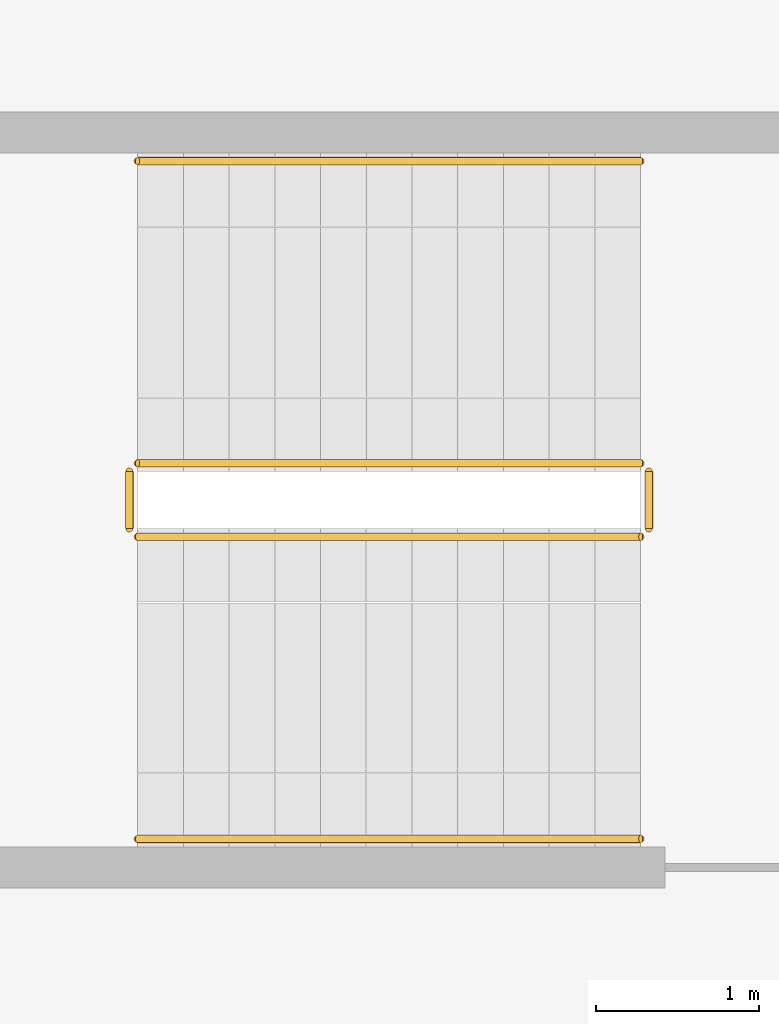
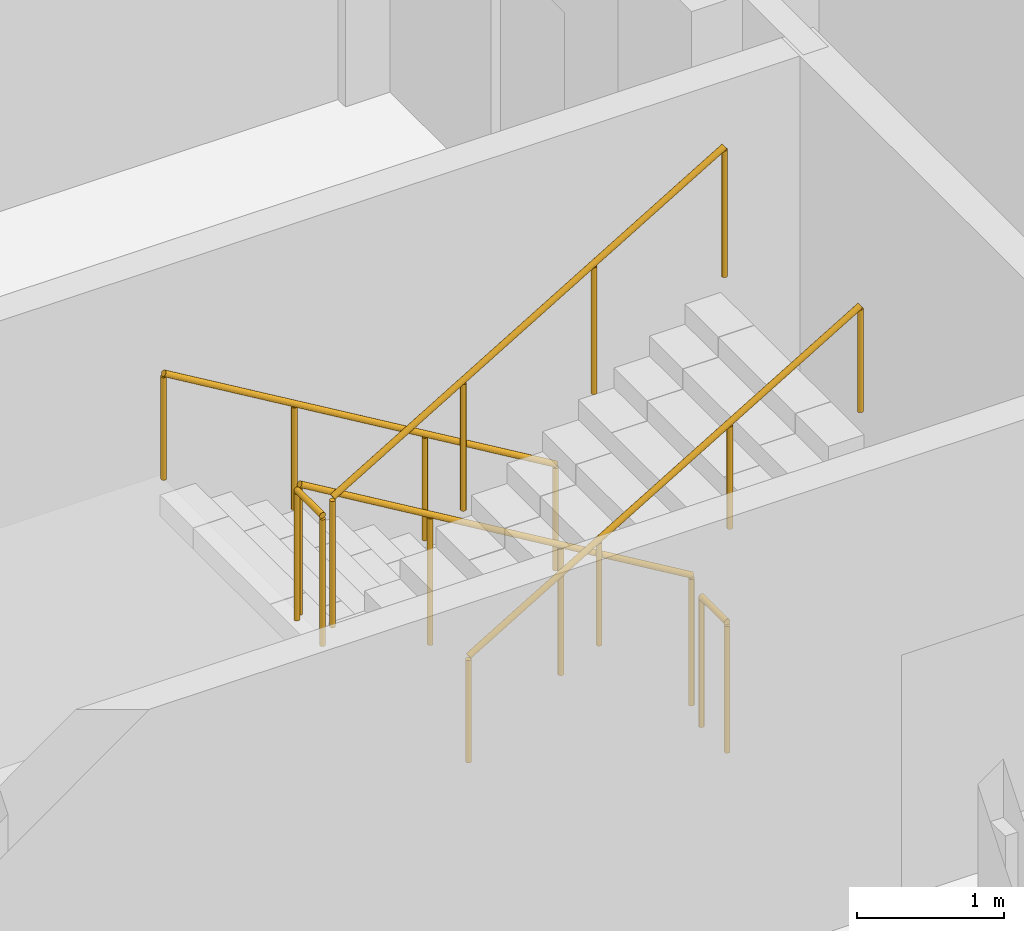
# One storey, part 15 of 15: 1 railing.
"""IFC4 building model written with IfcOpenShell, lengths in metres."""

from ifc_helpers import new_model, si_unit, direction, frame, origin, origin_2d, place, context, subcontext, project, spatial, circle, extrude, material, type_object, element, save


model = new_model("IFC4")

# Units and contexts
model_context = context("Model", 3, precision=1e-05, world=origin(), true_north=direction((0.0, 1.0)))
body_context = subcontext(model_context, "Body", "Model", "MODEL_VIEW")
ifc_project = project(units=[si_unit("LENGTHUNIT", "METRE"), si_unit("AREAUNIT", "SQUARE_METRE"), si_unit("VOLUMEUNIT", "CUBIC_METRE"), si_unit("PLANEANGLEUNIT", "RADIAN"), si_unit("MASSUNIT", "GRAM", prefix="KILO")], contexts=[model_context])

# Site, building, storey
site_placement = place(None, origin())
site = spatial("IfcSite", under=ifc_project, at=site_placement, CompositionType="ELEMENT")
building_placement = place(site_placement, origin())
building = spatial("IfcBuilding", under=site, at=building_placement, Name="Corbelhall Arena Tower", CompositionType="ELEMENT")
storey_placement = place(building_placement, frame((0.0, 0.0, 212.0)))
storey = spatial("IfcBuildingStorey", under=building, at=storey_placement, Name="L44", CompositionType="ELEMENT", Elevation=212.0)

# Railing
ifc_material = material(Name="Steel ASTM A500 Gr C", Category="steel")
railing_type = type_object("IfcRailingType", Name="IN-GD-1100", PredefinedType="GUARDRAIL", material=ifc_material)
railing_placement = place(storey_placement, frame((11.425048828125, 14.77490234375, 0.166748046875)))
element("IfcRailing", 1, at=railing_placement, inside=storey, type_object=railing_type, Name="L44 ST3 stair guards and handrails", PredefinedType="GUARDRAIL", context=body_context, shape_type="SweptSolid", body=[
    extrude(circle(Radius=0.02392578125, at=origin_2d()), frame((0.0, 0.0, 1.076171875), z_axis=(-0.859308565015, 0.0, 0.511457515432), x_axis=(0.0, -1.0, 0.0)), (0.0, 0.0, 1.0), 3.58447265625),
    extrude(circle(Radius=0.02392578125, at=origin_2d()), frame((-3.130126953125, -0.0498046875, 2.9091796875), z_axis=(0.0, -1.0, 0.0), x_axis=(1.0, 0.0, 0.0)), (0.0, 0.0, 1.0), 0.35009765625),
    extrude(circle(Radius=0.02392578125, at=origin_2d()), frame((-3.080078125, -0.449951171875, 3.076171875), z_axis=(0.859308565015, 0.0, 0.511457515432), x_axis=(0.0, 1.0, 0.0)), (0.0, 0.0, 1.0), 3.58447265625),
    extrude(circle(Radius=0.02392578125, at=origin_2d()), frame((0.050048828125, -0.0498046875, 0.9091796875), z_axis=(0.0, -1.0, 0.0), x_axis=(1.0, 0.0, 0.0)), (0.0, 0.0, 1.0), 0.35009765625),
    extrude(circle(Radius=0.02392578125, at=origin_2d()), frame((0.0, 1.85009765625, 0.8759765625), z_axis=(-0.859308565015, 0.0, 0.511457515432), x_axis=(0.0, -1.0, 0.0)), (0.0, 0.0, 1.0), 3.58447265625),
    extrude(circle(Radius=0.02392578125, at=origin_2d()), frame((-3.080078125, -2.2998046875, 2.8759765625), z_axis=(0.859308565015, 0.0, 0.511457515432), x_axis=(0.0, 1.0, 0.0)), (0.0, 0.0, 1.0), 3.58447265625),
    extrude(circle(Radius=0.02099609375, at=origin_2d()), origin(), (0.0, 0.0, 1.0), 1.052001953125),
    extrude(circle(Radius=0.02099609375, at=origin_2d()), frame((-1.026611328125, 0.0, 0.611083984375)), (0.0, 0.0, 1.0), 1.052001953125),
    extrude(circle(Radius=0.02099609375, at=origin_2d()), frame((-2.053466796875, 0.0, 1.22216796875)), (0.0, 0.0, 1.0), 1.052001953125),
    extrude(circle(Radius=0.02099609375, at=origin_2d()), frame((-3.080078125, 0.0, 1.833251953125)), (0.0, 0.0, 1.0), 1.052001953125),
    extrude(circle(Radius=0.02099609375, at=origin_2d()), frame((-3.130126953125, -0.0498046875, 1.833251953125)), (0.0, 0.0, 1.0), 1.052001953125),
    extrude(circle(Radius=0.02099609375, at=origin_2d()), frame((-3.130126953125, -0.39990234375, 1.833251953125)), (0.0, 0.0, 1.0), 1.052001953125),
    extrude(circle(Radius=0.02099609375, at=origin_2d()), frame((-3.080078125, -0.449951171875, 2.0)), (0.0, 0.0, 1.0), 1.052001953125),
    extrude(circle(Radius=0.02099609375, at=origin_2d()), frame((-2.053466796875, -0.449951171875, 2.611083984375)), (0.0, 0.0, 1.0), 1.052001953125),
    extrude(circle(Radius=0.02099609375, at=origin_2d()), frame((-1.026611328125, -0.449951171875, 3.22216796875)), (0.0, 0.0, 1.0), 1.052001953125),
    extrude(circle(Radius=0.02099609375, at=origin_2d()), frame((0.0, -0.449951171875, 3.833251953125)), (0.0, 0.0, 1.0), 1.052001953125),
    extrude(circle(Radius=0.02099609375, at=origin_2d()), frame((0.050048828125, -0.0498046875, -0.166748046875)), (0.0, 0.0, 1.0), 1.052001953125),
    extrude(circle(Radius=0.02099609375, at=origin_2d()), frame((0.050048828125, -0.39990234375, -0.166748046875)), (0.0, 0.0, 1.0), 1.052001953125),
    extrude(circle(Radius=0.02099609375, at=origin_2d()), frame((0.0, 1.85009765625, 0.0)), (0.0, 0.0, 1.0), 0.851806640625),
    extrude(circle(Radius=0.02099609375, at=origin_2d()), frame((-1.026611328125, 1.85009765625, 0.611083984375)), (0.0, 0.0, 1.0), 0.851806640625),
    extrude(circle(Radius=0.02099609375, at=origin_2d()), frame((-2.053466796875, 1.85009765625, 1.22216796875)), (0.0, 0.0, 1.0), 0.851806640625),
    extrude(circle(Radius=0.02099609375, at=origin_2d()), frame((-3.080078125, 1.85009765625, 1.833251953125)), (0.0, 0.0, 1.0), 0.851806640625),
    extrude(circle(Radius=0.02099609375, at=origin_2d()), frame((-3.080078125, -2.2998046875, 2.0)), (0.0, 0.0, 1.0), 0.851806640625),
    extrude(circle(Radius=0.02099609375, at=origin_2d()), frame((-2.053466796875, -2.2998046875, 2.611083984375)), (0.0, 0.0, 1.0), 0.851806640625),
    extrude(circle(Radius=0.02099609375, at=origin_2d()), frame((-1.026611328125, -2.2998046875, 3.22216796875)), (0.0, 0.0, 1.0), 0.851806640625),
    extrude(circle(Radius=0.02099609375, at=origin_2d()), frame((0.0, -2.2998046875, 3.833251953125)), (0.0, 0.0, 1.0), 0.851806640625),
])

save(model, "model.ifc")
